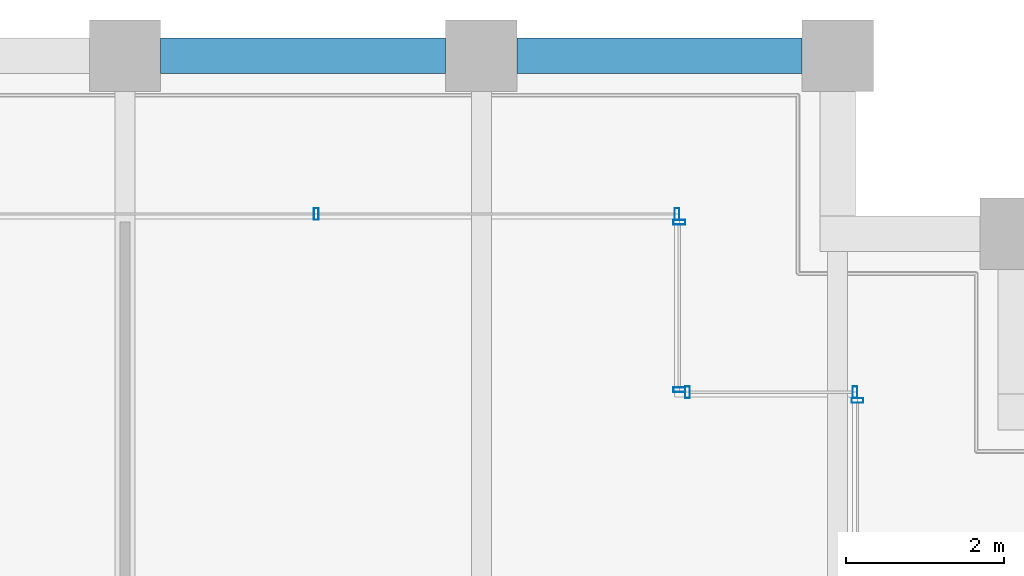
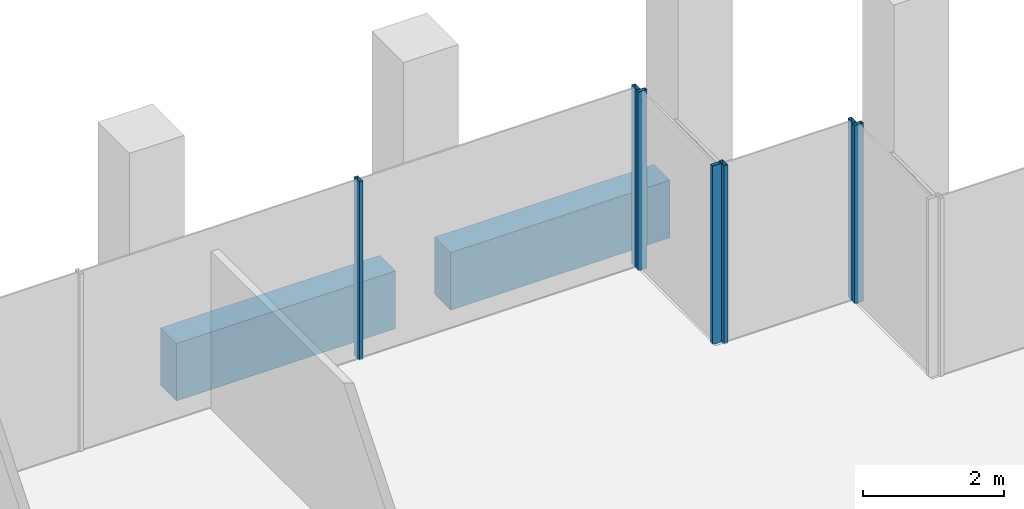
# One storey, part 26 of 40: 7 members, 2 beams, 4 elements without a shape of their own.
"""IFC4 building model written with IfcOpenShell, lengths in metres."""

from ifc_helpers import new_model, si_unit, direction, frame, origin, origin_2d, place, context, subcontext, project, spatial, rectangle, hollow_rectangle, extrude, material, material_profile, profile_set, type_object, element, aggregate, save


model = new_model("IFC4")

# Units and contexts
model_context = context("Model", 3, precision=1e-05, world=origin(), true_north=direction((0.0, 1.0)))
body_context = subcontext(model_context, "Body", "Model", "MODEL_VIEW")
ifc_project = project(units=[si_unit("LENGTHUNIT", "METRE"), si_unit("AREAUNIT", "SQUARE_METRE"), si_unit("VOLUMEUNIT", "CUBIC_METRE"), si_unit("PLANEANGLEUNIT", "RADIAN"), si_unit("MASSUNIT", "GRAM", prefix="KILO")], contexts=[model_context])

# Site, building, storey
site_placement = place(None, origin())
site = spatial("IfcSite", under=ifc_project, at=site_placement, CompositionType="ELEMENT")
building_placement = place(site_placement, origin())
building = spatial("IfcBuilding", under=site, at=building_placement, Name="Altepetl Exchange Towers", CompositionType="ELEMENT")
storey_placement = place(building_placement, frame((0.0, 0.0, 172.60009765625)))
storey = spatial("IfcBuildingStorey", under=building, at=storey_placement, Name="L43", CompositionType="ELEMENT", Elevation=172.60009765625)

# Curtain wall, member
ifc_material_1 = material(Name="Aluminium 6063-T6 glazing", Category="aluminium")
curtain_wall_type = type_object("IfcCurtainWallType", Name="Loggia glazing system", PredefinedType="NOTDEFINED", material=ifc_material_1)
curtain_wall_1_placement = place(storey_placement, origin())
curtain_wall_1 = element("IfcCurtainWall", 1, at=curtain_wall_1_placement, inside=storey, type_object=curtain_wall_type, Name="CW1 run", PredefinedType="NOTDEFINED")
ifc_material_2 = material(Name="Aluminium 6063-T6", Category="aluminium")
ifc_material_profile_1 = material_profile(ifc_material_2, hollow_rectangle(XDim=0.06005859375, YDim=0.14990234375, WallThickness=0.0029296875, at=origin_2d()), Name="Mullion 60x150 aluminium")
ifc_profile_set_1 = profile_set([ifc_material_profile_1], Name="Aluminium 6063-T6")
member_type = type_object("IfcMemberType", Name="Mullion 60x150 aluminium", PredefinedType="MULLION", material=ifc_profile_set_1)
member_1_placement = place(storey_placement, frame((67.75, 67.64501953125, 0.0), z_axis=(0.0, 0.0, 1.0), x_axis=(0.0, 1.0, 0.0)))
member_1 = element("IfcMember", 2, at=member_1_placement, type_object=member_type, Name="MU1 mullion", PredefinedType="MULLION", context=body_context, shape_type="SweptSolid", body=[
    extrude(hollow_rectangle(XDim=0.06005859375, YDim=0.14990234375, WallThickness=0.0029296875, at=origin_2d()), origin(), (0.0, 0.0, 1.0), 3.099853515625),
])
aggregate(curtain_wall_1, [member_1])

# Curtain wall, members
curtain_wall_2_placement = place(storey_placement, origin())
curtain_wall_2 = element("IfcCurtainWall", 3, at=curtain_wall_2_placement, inside=storey, type_object=curtain_wall_type, Name="CW1 run", PredefinedType="NOTDEFINED")
member_2_placement = place(storey_placement, frame((67.719970703125, 67.75, 0.0), z_axis=(0.0, 0.0, 1.0), x_axis=(-1.0, 0.0, 0.0)))
member_2 = element("IfcMember", 4, at=member_2_placement, type_object=member_type, Name="MU1 mullion", PredefinedType="MULLION", context=body_context, shape_type="SweptSolid", body=[
    extrude(hollow_rectangle(XDim=0.06005859375, YDim=0.14990234375, WallThickness=0.0029296875, at=origin_2d()), origin(), (0.0, 0.0, 1.0), 3.099853515625),
])
member_3_placement = place(storey_placement, frame((65.60498046875, 67.75, 0.0), z_axis=(0.0, 0.0, 1.0), x_axis=(-1.0, 0.0, 0.0)))
member_3 = element("IfcMember", 5, at=member_3_placement, type_object=member_type, Name="MU1 mullion", PredefinedType="MULLION", context=body_context, shape_type="SweptSolid", body=[
    extrude(hollow_rectangle(XDim=0.06005859375, YDim=0.14990234375, WallThickness=0.0029296875, at=origin_2d()), origin(), (0.0, 0.0, 1.0), 3.099853515625),
])
aggregate(curtain_wall_2, [member_2, member_3])

curtain_wall_3_placement = place(storey_placement, origin())
curtain_wall_3 = element("IfcCurtainWall", 6, at=curtain_wall_3_placement, inside=storey, type_object=curtain_wall_type, Name="CW1 run", PredefinedType="NOTDEFINED")
member_4_placement = place(storey_placement, frame((65.5, 67.780029296875, 0.0), z_axis=(0.0, 0.0, 1.0), x_axis=(0.0, 1.0, 0.0)))
member_4 = element("IfcMember", 7, at=member_4_placement, type_object=member_type, Name="MU1 mullion", PredefinedType="MULLION", context=body_context, shape_type="SweptSolid", body=[
    extrude(hollow_rectangle(XDim=0.06005859375, YDim=0.14990234375, WallThickness=0.0029296875, at=origin_2d()), origin(), (0.0, 0.0, 1.0), 3.099853515625),
])
member_5_placement = place(storey_placement, frame((65.5, 69.89501953125, 0.0), z_axis=(0.0, 0.0, 1.0), x_axis=(0.0, 1.0, 0.0)))
member_5 = element("IfcMember", 8, at=member_5_placement, type_object=member_type, Name="MU1 mullion", PredefinedType="MULLION", context=body_context, shape_type="SweptSolid", body=[
    extrude(hollow_rectangle(XDim=0.06005859375, YDim=0.14990234375, WallThickness=0.0029296875, at=origin_2d()), origin(), (0.0, 0.0, 1.0), 3.099853515625),
])
aggregate(curtain_wall_3, [member_4, member_5])

curtain_wall_4_placement = place(storey_placement, origin())
curtain_wall_4 = element("IfcCurtainWall", 9, at=curtain_wall_4_placement, inside=storey, type_object=curtain_wall_type, Name="CW1 run", PredefinedType="NOTDEFINED")
member_6_placement = place(storey_placement, frame((65.469970703125, 70.0, 0.0), z_axis=(0.0, 0.0, 1.0), x_axis=(-1.0, 0.0, 0.0)))
member_6 = element("IfcMember", 10, at=member_6_placement, type_object=member_type, Name="MU1 mullion", PredefinedType="MULLION", context=body_context, shape_type="SweptSolid", body=[
    extrude(hollow_rectangle(XDim=0.06005859375, YDim=0.14990234375, WallThickness=0.0029296875, at=origin_2d()), origin(), (0.0, 0.0, 1.0), 3.099853515625),
])
member_7_placement = place(storey_placement, frame((60.9150390625, 70.0, 0.0), z_axis=(0.0, 0.0, 1.0), x_axis=(-1.0, 0.0, 0.0)))
member_7 = element("IfcMember", 11, at=member_7_placement, type_object=member_type, Name="MU1 mullion", PredefinedType="MULLION", context=body_context, shape_type="SweptSolid", body=[
    extrude(hollow_rectangle(XDim=0.06005859375, YDim=0.14990234375, WallThickness=0.0029296875, at=origin_2d()), origin(), (0.0, 0.0, 1.0), 3.099853515625),
])
aggregate(curtain_wall_4, [member_6, member_7])

# Beams
ifc_material_3 = material(Name="Concrete C50/60 precast with cantera rosa facing", Category="concrete")
ifc_material_profile_2 = material_profile(ifc_material_3, rectangle(XDim=0.449951171875, YDim=1.0, at=origin_2d()), Name="450 x 1000")
ifc_profile_set_2 = profile_set([ifc_material_profile_2], Name="Concrete C50/60 precast with cantera rosa facing")
beam_type = type_object("IfcBeamType", Name="Spandrel beam 450x1000 cantera rosa", PredefinedType="SPANDREL", material=ifc_profile_set_2)
for number, where, z_axis, x_axis, name in (
    (12, (67.050048828125, 72.0, -0.650146484375), (-1.0, 0.0, 0.0), (0.0, -1.0, 0.0), "sp:A:L43:024"),
    (13, (62.550048828125, 72.0, -0.650146484375), (-1.0, 0.0, 0.0), (0.0, -1.0, 0.0), "sp:A:L43:025"),
):
    element("IfcBeam", number, at=place(storey_placement, frame(where, z_axis=z_axis, x_axis=x_axis)), inside=storey, type_object=beam_type, Name=name, PredefinedType="SPANDREL", context=body_context, shape_type="SweptSolid", body=[
        extrude(rectangle(XDim=0.449951171875, YDim=1.0, at=origin_2d()), origin(), (0.0, 0.0, 1.0), 3.60009765625),
    ])

save(model, "model.ifc")
